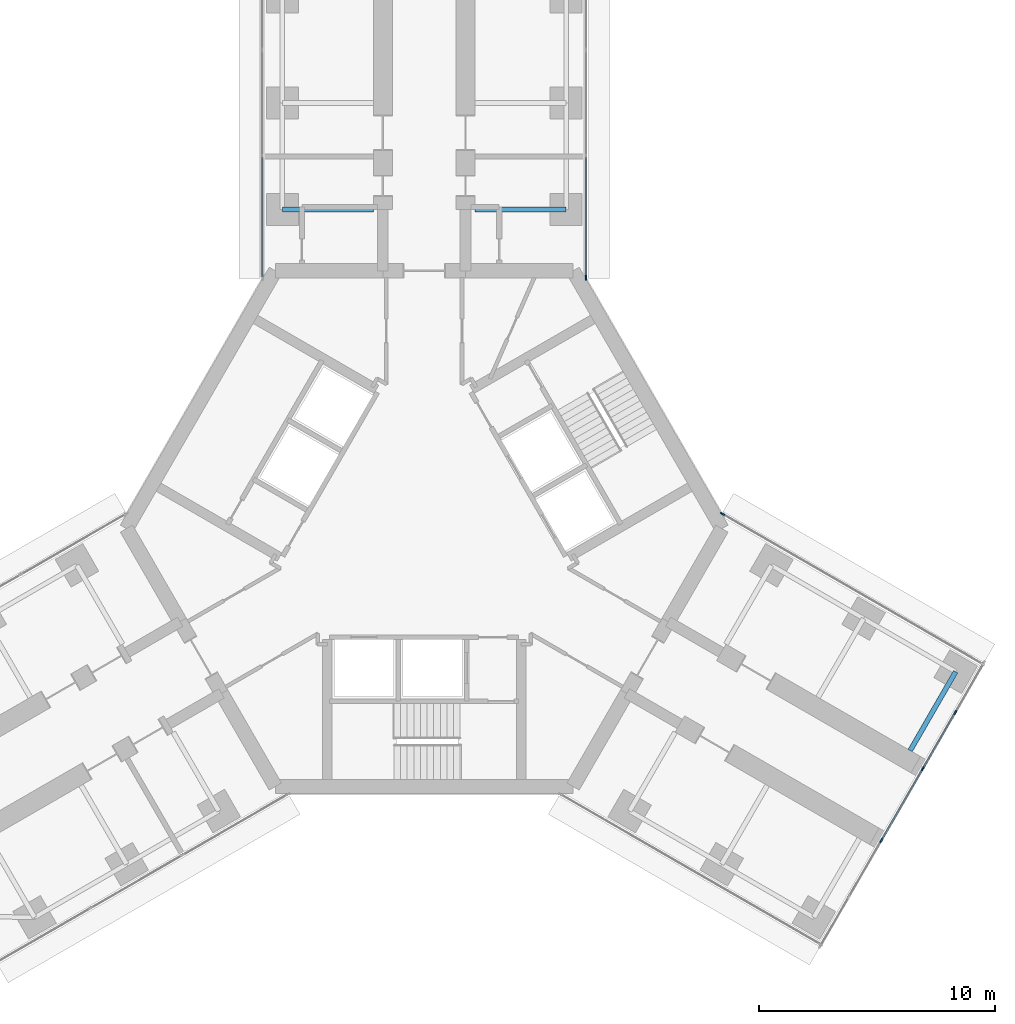
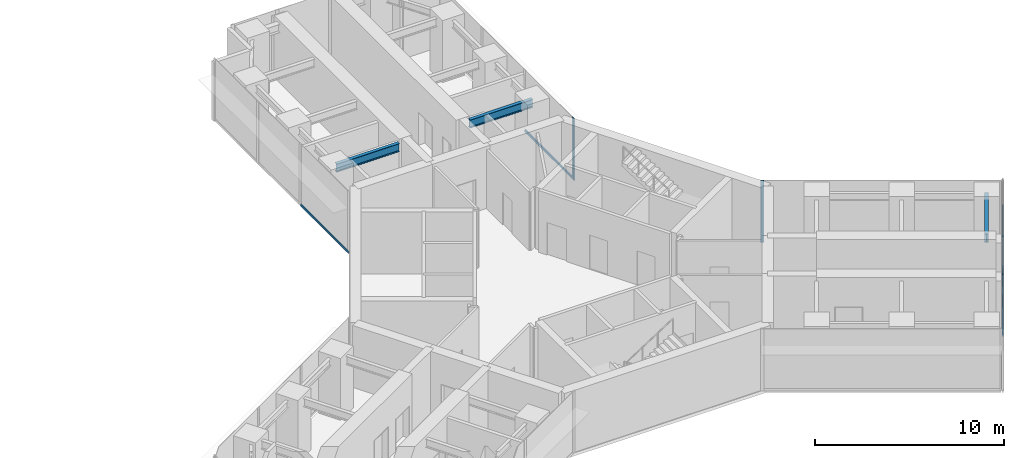
# One storey, part 10 of 21: 9 members, 3 beams, 4 elements without a shape of their own.
"""IFC4 building model written with IfcOpenShell, lengths in metres."""

from ifc_helpers import new_model, si_unit, direction, frame, origin, origin_2d, place, context, subcontext, project, spatial, rectangle, i_section, extrude, material, material_profile, profile_set, type_object, element, aggregate, save


model = new_model("IFC4")

# Units and contexts
model_context = context("Model", 3, precision=1e-05, world=origin(), true_north=direction((0.0, 1.0)))
body_context = subcontext(model_context, "Body", "Model", "MODEL_VIEW")
ifc_project = project(units=[si_unit("LENGTHUNIT", "METRE"), si_unit("AREAUNIT", "SQUARE_METRE"), si_unit("VOLUMEUNIT", "CUBIC_METRE"), si_unit("PLANEANGLEUNIT", "RADIAN"), si_unit("MASSUNIT", "GRAM", prefix="KILO")], contexts=[model_context])

# Site, building, storey
site_placement = place(None, origin())
site = spatial("IfcSite", under=ifc_project, at=site_placement, CompositionType="ELEMENT")
building_placement = place(site_placement, origin())
building = spatial("IfcBuilding", under=site, at=building_placement, Name="Upepo Twin Towers", CompositionType="ELEMENT")
storey_placement = place(building_placement, frame((0.0, 0.0, 101.5)))
storey = spatial("IfcBuildingStorey", under=building, at=storey_placement, Name="L24", CompositionType="ELEMENT", Elevation=101.5)

# Beams
ifc_material_1 = material(Name="Steel S355", Category="steel")
ifc_material_profile_1 = material_profile(ifc_material_1, i_section(OverallWidth=0.209228515625, OverallDepth=0.533203125, WebThickness=0.010009765625, FlangeThickness=0.015625, FilletRadius=0.0126953125, at=origin_2d()), Name="UB 533x210x92")
ifc_profile_set_1 = profile_set([ifc_material_profile_1], Name="Steel S355")
beam_type = type_object("IfcBeamType", Name="Beam UB 533x210x92", PredefinedType="BEAM", material=ifc_profile_set_1)
for number, where, z_axis, x_axis, name in (
    (1, (52.5, -4.5, 3.533447265625), (1.0, 0.0, 0.0), (0.0, 1.0, 0.0), "T2 girder AL at 13.5"),
    (2, (64.5, -4.5, 3.533447265625), (-1.0, 0.0, 0.0), (0.0, -1.0, 0.0), "T2 girder AR at 13.5"),
):
    element("IfcBeam", number, at=place(storey_placement, frame(where, z_axis=z_axis, x_axis=x_axis)), inside=storey, type_object=beam_type, Name=name, PredefinedType="BEAM", context=body_context, shape_type="SweptSolid", body=[
        extrude(i_section(OverallWidth=0.209228515625, OverallDepth=0.533203125, WebThickness=0.010009765625, FlangeThickness=0.015625, FilletRadius=0.0126953125, at=origin_2d()), origin(), (0.0, 0.0, 1.0), 3.85009765625),
    ])
beam_placement = place(storey_placement, frame((80.985595703125, -24.053955078125, 3.533447265625), z_axis=(-0.500033517596, -0.866006051527, 0.0), x_axis=(0.866006051527, -0.500033517596, 0.0)))
element("IfcBeam", 3, at=beam_placement, inside=storey, type_object=beam_type, Name="T2 girder CL at 22.5", PredefinedType="BEAM", context=body_context, shape_type="SweptSolid", body=[
    extrude(i_section(OverallWidth=0.209228515625, OverallDepth=0.533203125, WebThickness=0.010009765625, FlangeThickness=0.015625, FilletRadius=0.0126953125, at=origin_2d()), origin(), (0.0, 0.0, 1.0), 3.849853515625),
])

# Curtain wall, member
ifc_material_2 = material(Name="Aluminium and fritted glass", Category="aluminium")
curtain_wall_type = type_object("IfcCurtainWallType", Name="Tower curtain wall TW2, fritted glass", PredefinedType="NOTDEFINED", material=ifc_material_2)
curtain_wall_1_placement = place(storey_placement, origin())
curtain_wall_1 = element("IfcCurtainWall", 4, at=curtain_wall_1_placement, inside=storey, type_object=curtain_wall_type, Name="T2 L24 wing A flank R curtain wall", PredefinedType="NOTDEFINED")
ifc_material_3 = material(Name="Aluminium mullion", Category="aluminium")
ifc_material_profile_2 = material_profile(ifc_material_3, rectangle(XDim=0.06494140625, YDim=0.199951171875, at=origin_2d()), Name="MULLION 65x200")
ifc_profile_set_2 = profile_set([ifc_material_profile_2], Name="Aluminium mullion")
member_type_1 = type_object("IfcMemberType", Name="Mullion 65x200 TW2", PredefinedType="MULLION", material=ifc_profile_set_2)
member_1_placement = place(storey_placement, frame((65.35009765625, -7.38037109375, 0.0), z_axis=(0.0, 0.0, 1.0), x_axis=(1.0, 0.0, 0.0)))
member_1 = element("IfcMember", 5, at=member_1_placement, type_object=member_type_1, Name="T2 L24 wing A flank R curtain wall mullion 4", PredefinedType="MULLION", context=body_context, shape_type="SweptSolid", body=[
    extrude(rectangle(XDim=0.06494140625, YDim=0.199951171875, at=origin_2d()), origin(), (0.0, 0.0, 1.0), 4.0),
])

curtain_wall_2_placement = place(storey_placement, origin())
curtain_wall_2 = element("IfcCurtainWall", 6, at=curtain_wall_2_placement, inside=storey, type_object=curtain_wall_type, Name="T2 L24 wing C flank L curtain wall", PredefinedType="NOTDEFINED")
member_2_placement = place(storey_placement, frame((71.121826171875, -17.37744140625, 0.0), z_axis=(0.0, 0.0, 1.0), x_axis=(0.50000000792, 0.866025399212, 0.0)))
member_2 = element("IfcMember", 7, at=member_2_placement, type_object=member_type_1, Name="T2 L24 wing C flank L curtain wall mullion 1", PredefinedType="MULLION", context=body_context, shape_type="SweptSolid", body=[
    extrude(rectangle(XDim=0.06494140625, YDim=0.199951171875, at=origin_2d()), origin(), (0.0, 0.0, 1.0), 4.0),
])
aggregate(curtain_wall_2, [member_2])

# Curtain wall, members
curtain_wall_3_placement = place(storey_placement, origin())
curtain_wall_3 = element("IfcCurtainWall", 8, at=curtain_wall_3_placement, inside=storey, type_object=curtain_wall_type, Name="T2 L24 wing C nose curtain wall", PredefinedType="NOTDEFINED")
member_3_placement = place(storey_placement, frame((77.8466796875, -31.1904296875, 0.0), z_axis=(0.0, 0.0, 1.0), x_axis=(-0.866025419745, 0.499999972355, 0.0)))
member_3 = element("IfcMember", 9, at=member_3_placement, type_object=member_type_1, Name="T2 L24 wing C nose curtain wall mullion 3", PredefinedType="MULLION", context=body_context, shape_type="SweptSolid", body=[
    extrude(rectangle(XDim=0.06494140625, YDim=0.199951171875, at=origin_2d()), origin(), (0.0, 0.0, 1.0), 4.0),
])
member_4_placement = place(storey_placement, frame((79.5966796875, -28.159423828125, 0.0), z_axis=(0.0, 0.0, 1.0), x_axis=(-0.866025419745, 0.499999972355, 0.0)))
member_4 = element("IfcMember", 10, at=member_4_placement, type_object=member_type_1, Name="T2 L24 wing C nose curtain wall mullion 4", PredefinedType="MULLION", context=body_context, shape_type="SweptSolid", body=[
    extrude(rectangle(XDim=0.06494140625, YDim=0.199951171875, at=origin_2d()), origin(), (0.0, 0.0, 1.0), 4.0),
])
member_5_placement = place(storey_placement, frame((80.9716796875, -25.77783203125, 0.0), z_axis=(0.0, 0.0, 1.0), x_axis=(-0.866025419745, 0.499999972355, 0.0)))
member_5 = element("IfcMember", 11, at=member_5_placement, type_object=member_type_1, Name="T2 L24 wing C nose curtain wall mullion 5", PredefinedType="MULLION", context=body_context, shape_type="SweptSolid", body=[
    extrude(rectangle(XDim=0.06494140625, YDim=0.199951171875, at=origin_2d()), origin(), (0.0, 0.0, 1.0), 4.0),
])

# Curtain wall, member
curtain_wall_4_placement = place(storey_placement, origin())
curtain_wall_4 = element("IfcCurtainWall", 12, at=curtain_wall_4_placement, inside=storey, type_object=curtain_wall_type, Name="T2 L24 wing A flank L curtain wall", PredefinedType="NOTDEFINED")
ifc_material_4 = material(Name="Aluminium transom", Category="aluminium")
ifc_material_profile_3 = material_profile(ifc_material_4, rectangle(XDim=0.06494140625, YDim=0.14990234375, at=origin_2d()), Name="TRANSOM 65x150")
ifc_profile_set_3 = profile_set([ifc_material_profile_3], Name="Aluminium transom")
member_type_2 = type_object("IfcMemberType", Name="Transom 65x150 TW2", PredefinedType="USERDEFINED", material=ifc_profile_set_3)
member_6_placement = place(storey_placement, frame((51.64990234375, -7.347900390625, 0.074951171875), z_axis=(0.0, 1.0, 0.0), x_axis=(-1.0, 0.0, 0.0)))
member_6 = element("IfcMember", 13, at=member_6_placement, type_object=member_type_2, Name="T2 L24 wing A flank L curtain wall transom 1", ObjectType="TRANSOM", PredefinedType="USERDEFINED", context=body_context, shape_type="SweptSolid", body=[
    extrude(rectangle(XDim=0.06494140625, YDim=0.14990234375, at=origin_2d()), origin(), (0.0, 0.0, 1.0), 5.0654296875),
])
aggregate(curtain_wall_4, [member_6])

# Member
member_7_placement = place(storey_placement, frame((65.35009765625, -2.282470703125, 0.074951171875), z_axis=(0.0, -1.0, 0.0), x_axis=(1.0, 0.0, 0.0)))
member_7 = element("IfcMember", 14, at=member_7_placement, type_object=member_type_2, Name="T2 L24 wing A flank R curtain wall transom 3", ObjectType="TRANSOM", PredefinedType="USERDEFINED", context=body_context, shape_type="SweptSolid", body=[
    extrude(rectangle(XDim=0.06494140625, YDim=0.14990234375, at=origin_2d()), origin(), (0.0, 0.0, 1.0), 5.0654296875),
])

aggregate(curtain_wall_1, [member_1, member_7])

member_8_placement = place(storey_placement, frame((77.863037109375, -31.162353515625, 0.074951171875), z_axis=(0.499945997713, 0.866056579774, 0.0), x_axis=(-0.866056579774, 0.499945997713, 0.0)))
member_8 = element("IfcMember", 15, at=member_8_placement, type_object=member_type_2, Name="T2 L24 wing C nose curtain wall transom 3", ObjectType="TRANSOM", PredefinedType="USERDEFINED", context=body_context, shape_type="SweptSolid", body=[
    extrude(rectangle(XDim=0.06494140625, YDim=0.14990234375, at=origin_2d()), origin(), (0.0, 0.0, 1.0), 3.43505859375),
])

member_9_placement = place(storey_placement, frame((79.613037109375, -28.13134765625, 0.074951171875), z_axis=(0.49995335277, 0.8660523339, 0.0), x_axis=(-0.8660523339, 0.49995335277, 0.0)))
member_9 = element("IfcMember", 16, at=member_9_placement, type_object=member_type_2, Name="T2 L24 wing C nose curtain wall transom 4", ObjectType="TRANSOM", PredefinedType="USERDEFINED", context=body_context, shape_type="SweptSolid", body=[
    extrude(rectangle(XDim=0.06494140625, YDim=0.14990234375, at=origin_2d()), origin(), (0.0, 0.0, 1.0), 2.684814453125),
])

aggregate(curtain_wall_3, [member_3, member_4, member_5, member_8, member_9])

save(model, "model.ifc")
